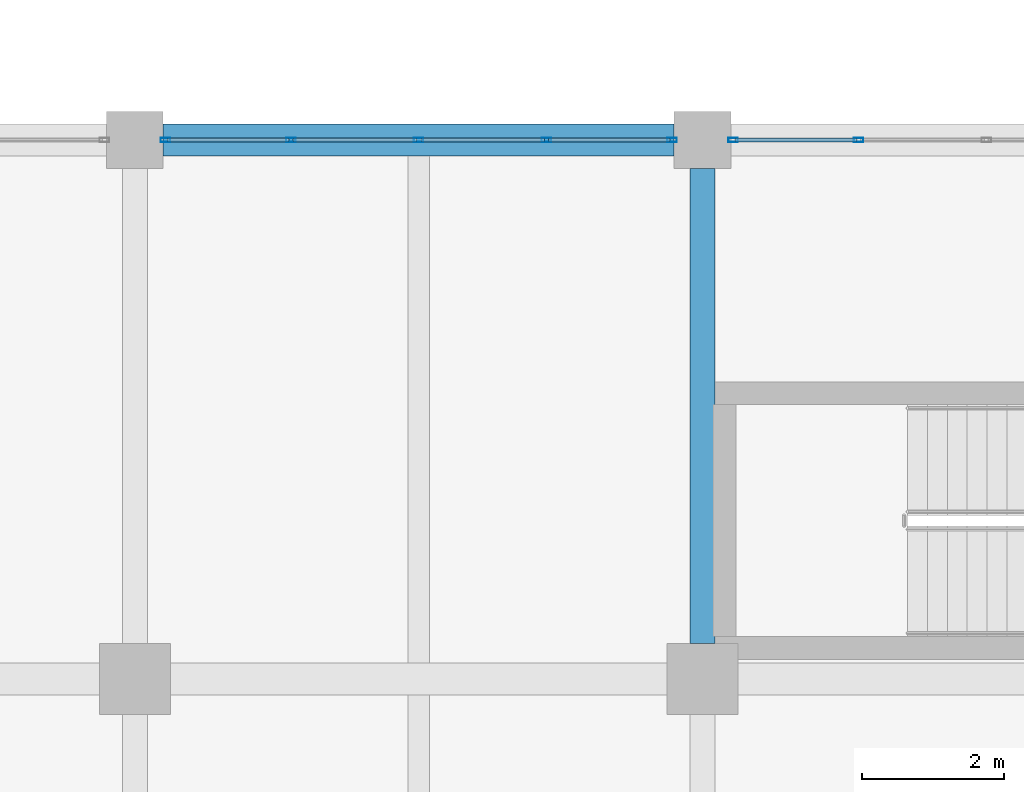
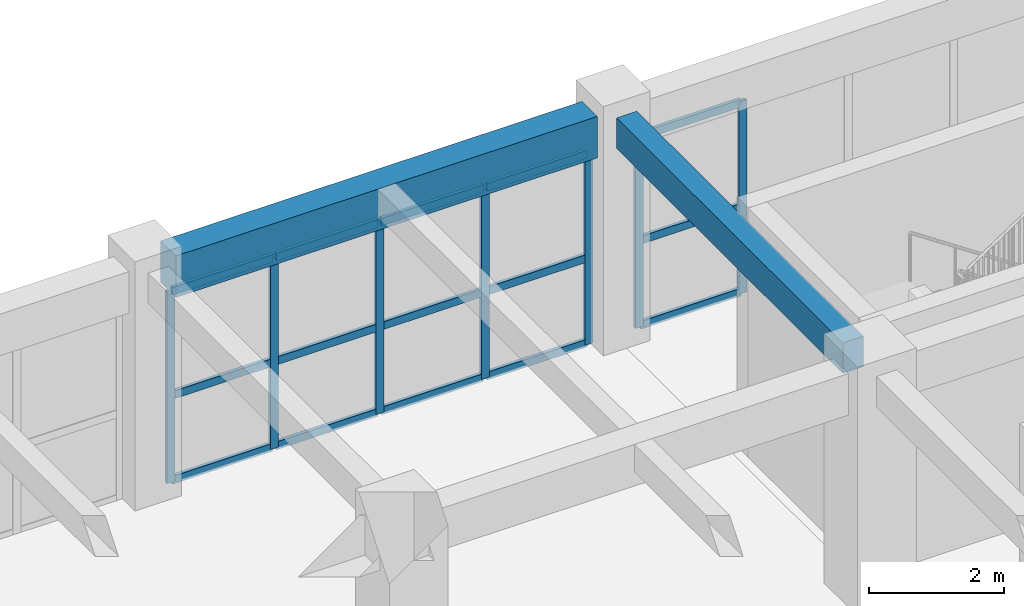
# One storey, part 32 of 79: 22 members, 2 beams, 2 elements without a shape of their own.
"""IFC4 building model written with IfcOpenShell, lengths in metres."""

from ifc_helpers import new_model, si_unit, direction, frame, origin, origin_2d, place, context, subcontext, project, spatial, rectangle, hollow_rectangle, extrude, material, material_profile, profile_set, type_object, element, aggregate, save


model = new_model("IFC4")

# Units and contexts
model_context = context("Model", 3, precision=1e-05, world=origin(), true_north=direction((0.0, 1.0)))
body_context = subcontext(model_context, "Body", "Model", "MODEL_VIEW")
ifc_project = project(units=[si_unit("LENGTHUNIT", "METRE"), si_unit("AREAUNIT", "SQUARE_METRE"), si_unit("VOLUMEUNIT", "CUBIC_METRE"), si_unit("PLANEANGLEUNIT", "RADIAN"), si_unit("MASSUNIT", "GRAM", prefix="KILO")], contexts=[model_context])

# Site, building, storey
site_placement = place(None, origin())
site = spatial("IfcSite", under=ifc_project, at=site_placement, CompositionType="ELEMENT")
building_placement = place(site_placement, origin())
building = spatial("IfcBuilding", under=site, at=building_placement, Name="Zantavel Square City Hall", CompositionType="ELEMENT")
storey_placement = place(building_placement, frame((0.0, 0.0, 10.199951171875)))
storey = spatial("IfcBuildingStorey", under=building, at=storey_placement, Name="L03", CompositionType="ELEMENT", Elevation=10.199951171875)

# Curtain wall, members
ifc_material_1 = material(Name="Anodised aluminium 6063-T6", Category="aluminium")
curtain_wall_type = type_object("IfcCurtainWallType", Name="Curtain Wall TRV1 7200x3470", PredefinedType="USERDEFINED", material=ifc_material_1)
curtain_wall_1_placement = place(storey_placement, origin())
curtain_wall_1 = element("IfcCurtainWall", 1, at=curtain_wall_1_placement, inside=storey, type_object=curtain_wall_type, Name="L03 Glazed Curtain Wall CW-L03-087", ObjectType="GLAZED CURTAIN WALL", PredefinedType="USERDEFINED")
ifc_material_profile_1 = material_profile(ifc_material_1, hollow_rectangle(XDim=0.06005859375, YDim=0.135009765625, WallThickness=0.00390625, at=origin_2d()), Name="ALU 60x135x4")
ifc_profile_set_1 = profile_set([ifc_material_profile_1], Name="Anodised aluminium 6063-T6")
member_type_1 = type_object("IfcMemberType", Name="CW Mullion ALU 60x135x4", PredefinedType="MULLION", material=ifc_profile_set_1)
member_1_placement = place(storey_placement, frame((88.429931640625, 68.39990234375, 0.0), z_axis=(0.0, 0.0, 1.0), x_axis=(0.0, 1.0, 0.0)))
member_1 = element("IfcMember", 2, at=member_1_placement, type_object=member_type_1, Name="CW-087 mullion 1", PredefinedType="MULLION", context=body_context, shape_type="SweptSolid", body=[
    extrude(hollow_rectangle(XDim=0.06005859375, YDim=0.135009765625, WallThickness=0.00390625, at=origin_2d()), origin(), (0.0, 0.0, 1.0), 3.469970703125),
])
member_2_placement = place(storey_placement, frame((90.199951171875, 68.39990234375, 0.0), z_axis=(0.0, 0.0, 1.0), x_axis=(0.0, 1.0, 0.0)))
member_2 = element("IfcMember", 3, at=member_2_placement, type_object=member_type_1, Name="CW-087 mullion 2", PredefinedType="MULLION", context=body_context, shape_type="SweptSolid", body=[
    extrude(hollow_rectangle(XDim=0.06005859375, YDim=0.135009765625, WallThickness=0.00390625, at=origin_2d()), origin(), (0.0, 0.0, 1.0), 3.469970703125),
])
member_3_placement = place(storey_placement, frame((92.0, 68.39990234375, 0.0), z_axis=(0.0, 0.0, 1.0), x_axis=(0.0, 1.0, 0.0)))
member_3 = element("IfcMember", 4, at=member_3_placement, type_object=member_type_1, Name="CW-087 mullion 3", PredefinedType="MULLION", context=body_context, shape_type="SweptSolid", body=[
    extrude(hollow_rectangle(XDim=0.06005859375, YDim=0.135009765625, WallThickness=0.00390625, at=origin_2d()), origin(), (0.0, 0.0, 1.0), 3.469970703125),
])
member_4_placement = place(storey_placement, frame((93.800048828125, 68.39990234375, 0.0), z_axis=(0.0, 0.0, 1.0), x_axis=(0.0, 1.0, 0.0)))
member_4 = element("IfcMember", 5, at=member_4_placement, type_object=member_type_1, Name="CW-087 mullion 4", PredefinedType="MULLION", context=body_context, shape_type="SweptSolid", body=[
    extrude(hollow_rectangle(XDim=0.06005859375, YDim=0.135009765625, WallThickness=0.00390625, at=origin_2d()), origin(), (0.0, 0.0, 1.0), 3.469970703125),
])
member_5_placement = place(storey_placement, frame((95.570068359375, 68.39990234375, 0.0), z_axis=(0.0, 0.0, 1.0), x_axis=(0.0, 1.0, 0.0)))
member_5 = element("IfcMember", 6, at=member_5_placement, type_object=member_type_1, Name="CW-087 mullion 5", PredefinedType="MULLION", context=body_context, shape_type="SweptSolid", body=[
    extrude(hollow_rectangle(XDim=0.06005859375, YDim=0.135009765625, WallThickness=0.00390625, at=origin_2d()), origin(), (0.0, 0.0, 1.0), 3.469970703125),
])

curtain_wall_2_placement = place(storey_placement, origin())
curtain_wall_2 = element("IfcCurtainWall", 7, at=curtain_wall_2_placement, inside=storey, type_object=curtain_wall_type, Name="L03 Glazed Curtain Wall CW-L03-088", ObjectType="GLAZED CURTAIN WALL", PredefinedType="USERDEFINED")
member_6_placement = place(storey_placement, frame((96.429931640625, 68.39990234375, 0.0), z_axis=(0.0, 0.0, 1.0), x_axis=(0.0, 1.0, 0.0)))
member_6 = element("IfcMember", 8, at=member_6_placement, type_object=member_type_1, Name="CW-088 mullion 1", PredefinedType="MULLION", context=body_context, shape_type="SweptSolid", body=[
    extrude(hollow_rectangle(XDim=0.06005859375, YDim=0.135009765625, WallThickness=0.00390625, at=origin_2d()), origin(), (0.0, 0.0, 1.0), 3.469970703125),
])
member_7_placement = place(storey_placement, frame((98.199951171875, 68.39990234375, 0.0), z_axis=(0.0, 0.0, 1.0), x_axis=(0.0, 1.0, 0.0)))
member_7 = element("IfcMember", 9, at=member_7_placement, type_object=member_type_1, Name="CW-088 mullion 2", PredefinedType="MULLION", context=body_context, shape_type="SweptSolid", body=[
    extrude(hollow_rectangle(XDim=0.06005859375, YDim=0.135009765625, WallThickness=0.00390625, at=origin_2d()), origin(), (0.0, 0.0, 1.0), 3.469970703125),
])

# Member
ifc_material_profile_2 = material_profile(ifc_material_1, hollow_rectangle(XDim=0.06005859375, YDim=0.139892578125, WallThickness=0.00390625, at=origin_2d()), Name="ALU 60x140x4")
ifc_profile_set_2 = profile_set([ifc_material_profile_2], Name="Anodised aluminium 6063-T6")
member_type_2 = type_object("IfcMemberType", Name="CW Transom ALU 60x140x4", PredefinedType="USERDEFINED", material=ifc_profile_set_2)
member_8_placement = place(storey_placement, frame((88.4599609375, 68.39990234375, 0.030029296875), z_axis=(1.0, 0.0, 0.0), x_axis=(0.0, 1.0, 0.0)))
member_8 = element("IfcMember", 10, at=member_8_placement, type_object=member_type_2, Name="CW-087 transom 1.1", ObjectType="TRANSOM", PredefinedType="USERDEFINED", context=body_context, shape_type="SweptSolid", body=[
    extrude(hollow_rectangle(XDim=0.06005859375, YDim=0.139892578125, WallThickness=0.00390625, at=origin_2d()), origin(), (0.0, 0.0, 1.0), 1.7099609375),
])

member_9_placement = place(storey_placement, frame((88.4599609375, 68.39990234375, 1.56201171875), z_axis=(1.0, 0.0, 0.0), x_axis=(0.0, 1.0, 0.0)))
member_9 = element("IfcMember", 11, at=member_9_placement, type_object=member_type_2, Name="CW-087 transom 1.2", ObjectType="TRANSOM", PredefinedType="USERDEFINED", context=body_context, shape_type="SweptSolid", body=[
    extrude(hollow_rectangle(XDim=0.06005859375, YDim=0.139892578125, WallThickness=0.00390625, at=origin_2d()), origin(), (0.0, 0.0, 1.0), 1.7099609375),
])

member_10_placement = place(storey_placement, frame((88.4599609375, 68.39990234375, 3.43994140625), z_axis=(1.0, 0.0, 0.0), x_axis=(0.0, 1.0, 0.0)))
member_10 = element("IfcMember", 12, at=member_10_placement, type_object=member_type_2, Name="CW-087 transom 1.3", ObjectType="TRANSOM", PredefinedType="USERDEFINED", context=body_context, shape_type="SweptSolid", body=[
    extrude(hollow_rectangle(XDim=0.06005859375, YDim=0.139892578125, WallThickness=0.00390625, at=origin_2d()), origin(), (0.0, 0.0, 1.0), 1.7099609375),
])

member_11_placement = place(storey_placement, frame((90.22998046875, 68.39990234375, 0.030029296875), z_axis=(1.0, 0.0, 0.0), x_axis=(0.0, 1.0, 0.0)))
member_11 = element("IfcMember", 13, at=member_11_placement, type_object=member_type_2, Name="CW-087 transom 2.1", ObjectType="TRANSOM", PredefinedType="USERDEFINED", context=body_context, shape_type="SweptSolid", body=[
    extrude(hollow_rectangle(XDim=0.06005859375, YDim=0.139892578125, WallThickness=0.00390625, at=origin_2d()), origin(), (0.0, 0.0, 1.0), 1.739990234375),
])

member_12_placement = place(storey_placement, frame((90.22998046875, 68.39990234375, 1.56201171875), z_axis=(1.0, 0.0, 0.0), x_axis=(0.0, 1.0, 0.0)))
member_12 = element("IfcMember", 14, at=member_12_placement, type_object=member_type_2, Name="CW-087 transom 2.2", ObjectType="TRANSOM", PredefinedType="USERDEFINED", context=body_context, shape_type="SweptSolid", body=[
    extrude(hollow_rectangle(XDim=0.06005859375, YDim=0.139892578125, WallThickness=0.00390625, at=origin_2d()), origin(), (0.0, 0.0, 1.0), 1.739990234375),
])

member_13_placement = place(storey_placement, frame((90.22998046875, 68.39990234375, 3.43994140625), z_axis=(1.0, 0.0, 0.0), x_axis=(0.0, 1.0, 0.0)))
member_13 = element("IfcMember", 15, at=member_13_placement, type_object=member_type_2, Name="CW-087 transom 2.3", ObjectType="TRANSOM", PredefinedType="USERDEFINED", context=body_context, shape_type="SweptSolid", body=[
    extrude(hollow_rectangle(XDim=0.06005859375, YDim=0.139892578125, WallThickness=0.00390625, at=origin_2d()), origin(), (0.0, 0.0, 1.0), 1.739990234375),
])

member_14_placement = place(storey_placement, frame((92.030029296875, 68.39990234375, 0.030029296875), z_axis=(1.0, 0.0, 0.0), x_axis=(0.0, 1.0, 0.0)))
member_14 = element("IfcMember", 16, at=member_14_placement, type_object=member_type_2, Name="CW-087 transom 3.1", ObjectType="TRANSOM", PredefinedType="USERDEFINED", context=body_context, shape_type="SweptSolid", body=[
    extrude(hollow_rectangle(XDim=0.06005859375, YDim=0.139892578125, WallThickness=0.00390625, at=origin_2d()), origin(), (0.0, 0.0, 1.0), 1.739990234375),
])

member_15_placement = place(storey_placement, frame((92.030029296875, 68.39990234375, 1.56201171875), z_axis=(1.0, 0.0, 0.0), x_axis=(0.0, 1.0, 0.0)))
member_15 = element("IfcMember", 17, at=member_15_placement, type_object=member_type_2, Name="CW-087 transom 3.2", ObjectType="TRANSOM", PredefinedType="USERDEFINED", context=body_context, shape_type="SweptSolid", body=[
    extrude(hollow_rectangle(XDim=0.06005859375, YDim=0.139892578125, WallThickness=0.00390625, at=origin_2d()), origin(), (0.0, 0.0, 1.0), 1.739990234375),
])

member_16_placement = place(storey_placement, frame((92.030029296875, 68.39990234375, 3.43994140625), z_axis=(1.0, 0.0, 0.0), x_axis=(0.0, 1.0, 0.0)))
member_16 = element("IfcMember", 18, at=member_16_placement, type_object=member_type_2, Name="CW-087 transom 3.3", ObjectType="TRANSOM", PredefinedType="USERDEFINED", context=body_context, shape_type="SweptSolid", body=[
    extrude(hollow_rectangle(XDim=0.06005859375, YDim=0.139892578125, WallThickness=0.00390625, at=origin_2d()), origin(), (0.0, 0.0, 1.0), 1.739990234375),
])

member_17_placement = place(storey_placement, frame((93.830078125, 68.39990234375, 0.030029296875), z_axis=(1.0, 0.0, 0.0), x_axis=(0.0, 1.0, 0.0)))
member_17 = element("IfcMember", 19, at=member_17_placement, type_object=member_type_2, Name="CW-087 transom 4.1", ObjectType="TRANSOM", PredefinedType="USERDEFINED", context=body_context, shape_type="SweptSolid", body=[
    extrude(hollow_rectangle(XDim=0.06005859375, YDim=0.139892578125, WallThickness=0.00390625, at=origin_2d()), origin(), (0.0, 0.0, 1.0), 1.7099609375),
])

member_18_placement = place(storey_placement, frame((93.830078125, 68.39990234375, 1.56201171875), z_axis=(1.0, 0.0, 0.0), x_axis=(0.0, 1.0, 0.0)))
member_18 = element("IfcMember", 20, at=member_18_placement, type_object=member_type_2, Name="CW-087 transom 4.2", ObjectType="TRANSOM", PredefinedType="USERDEFINED", context=body_context, shape_type="SweptSolid", body=[
    extrude(hollow_rectangle(XDim=0.06005859375, YDim=0.139892578125, WallThickness=0.00390625, at=origin_2d()), origin(), (0.0, 0.0, 1.0), 1.7099609375),
])

member_19_placement = place(storey_placement, frame((93.830078125, 68.39990234375, 3.43994140625), z_axis=(1.0, 0.0, 0.0), x_axis=(0.0, 1.0, 0.0)))
member_19 = element("IfcMember", 21, at=member_19_placement, type_object=member_type_2, Name="CW-087 transom 4.3", ObjectType="TRANSOM", PredefinedType="USERDEFINED", context=body_context, shape_type="SweptSolid", body=[
    extrude(hollow_rectangle(XDim=0.06005859375, YDim=0.139892578125, WallThickness=0.00390625, at=origin_2d()), origin(), (0.0, 0.0, 1.0), 1.7099609375),
])

aggregate(curtain_wall_1, [member_1, member_2, member_3, member_4, member_5, member_8, member_9, member_10, member_11, member_12, member_13, member_14, member_15, member_16, member_17, member_18, member_19])

member_20_placement = place(storey_placement, frame((96.4599609375, 68.39990234375, 0.030029296875), z_axis=(1.0, 0.0, 0.0), x_axis=(0.0, 1.0, 0.0)))
member_20 = element("IfcMember", 22, at=member_20_placement, type_object=member_type_2, Name="CW-088 transom 1.1", ObjectType="TRANSOM", PredefinedType="USERDEFINED", context=body_context, shape_type="SweptSolid", body=[
    extrude(hollow_rectangle(XDim=0.06005859375, YDim=0.139892578125, WallThickness=0.00390625, at=origin_2d()), origin(), (0.0, 0.0, 1.0), 1.7099609375),
])

member_21_placement = place(storey_placement, frame((96.4599609375, 68.39990234375, 1.56201171875), z_axis=(1.0, 0.0, 0.0), x_axis=(0.0, 1.0, 0.0)))
member_21 = element("IfcMember", 23, at=member_21_placement, type_object=member_type_2, Name="CW-088 transom 1.2", ObjectType="TRANSOM", PredefinedType="USERDEFINED", context=body_context, shape_type="SweptSolid", body=[
    extrude(hollow_rectangle(XDim=0.06005859375, YDim=0.139892578125, WallThickness=0.00390625, at=origin_2d()), origin(), (0.0, 0.0, 1.0), 1.7099609375),
])

member_22_placement = place(storey_placement, frame((96.4599609375, 68.39990234375, 3.43994140625), z_axis=(1.0, 0.0, 0.0), x_axis=(0.0, 1.0, 0.0)))
member_22 = element("IfcMember", 24, at=member_22_placement, type_object=member_type_2, Name="CW-088 transom 1.3", ObjectType="TRANSOM", PredefinedType="USERDEFINED", context=body_context, shape_type="SweptSolid", body=[
    extrude(hollow_rectangle(XDim=0.06005859375, YDim=0.139892578125, WallThickness=0.00390625, at=origin_2d()), origin(), (0.0, 0.0, 1.0), 1.7099609375),
])

aggregate(curtain_wall_2, [member_6, member_7, member_20, member_21, member_22])

# Beams
ifc_material_2 = material(Name="Concrete C35/45", Category="concrete")
ifc_material_profile_3 = material_profile(ifc_material_2, rectangle(XDim=0.449951171875, YDim=0.75, at=origin_2d()), Name="RC 450x750")
ifc_profile_set_3 = profile_set([ifc_material_profile_3], Name="Concrete C35/45")
beam_type_1 = type_object("IfcBeamType", Name="Primary Girder RC 450x750 C35/45", PredefinedType="BEAM", material=ifc_profile_set_3)
beam_1_placement = place(storey_placement, frame((88.39990234375, 68.39990234375, 3.844970703125), z_axis=(1.0, 0.0, 0.0), x_axis=(0.0, 1.0, 0.0)))
element("IfcBeam", 25, at=beam_1_placement, inside=storey, type_object=beam_type_1, Name="L03 Girder BMX-L03-0880-0684", PredefinedType="BEAM", context=body_context, shape_type="SweptSolid", body=[
    extrude(rectangle(XDim=0.449951171875, YDim=0.75, at=origin_2d()), origin(), (0.0, 0.0, 1.0), 7.2001953125),
])
ifc_material_profile_4 = material_profile(ifc_material_2, rectangle(XDim=0.35009765625, YDim=0.550048828125, at=origin_2d()), Name="RC 350x550")
ifc_profile_set_4 = profile_set([ifc_material_profile_4], Name="Concrete C35/45")
beam_type_2 = type_object("IfcBeamType", Name="Secondary Beam RC 350x550 C35/45", PredefinedType="BEAM", material=ifc_profile_set_4)
beam_2_placement = place(storey_placement, frame((96.0, 61.300048828125, 3.945068359375), z_axis=(0.0, 1.0, 0.0), x_axis=(-1.0, 0.0, 0.0)))
element("IfcBeam", 26, at=beam_2_placement, inside=storey, type_object=beam_type_2, Name="L03 Beam BMY-L03-0960-0608", PredefinedType="BEAM", context=body_context, shape_type="SweptSolid", body=[
    extrude(rectangle(XDim=0.35009765625, YDim=0.550048828125, at=origin_2d()), origin(), (0.0, 0.0, 1.0), 6.699951171875),
])

save(model, "model.ifc")
